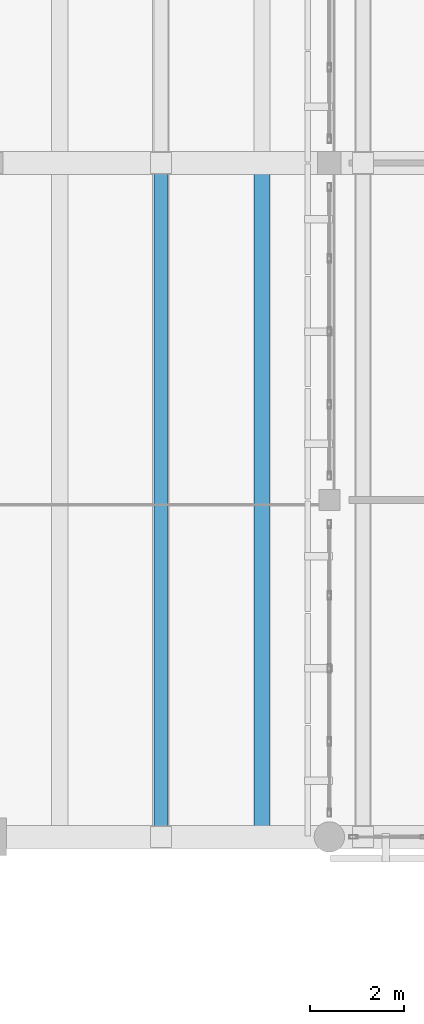
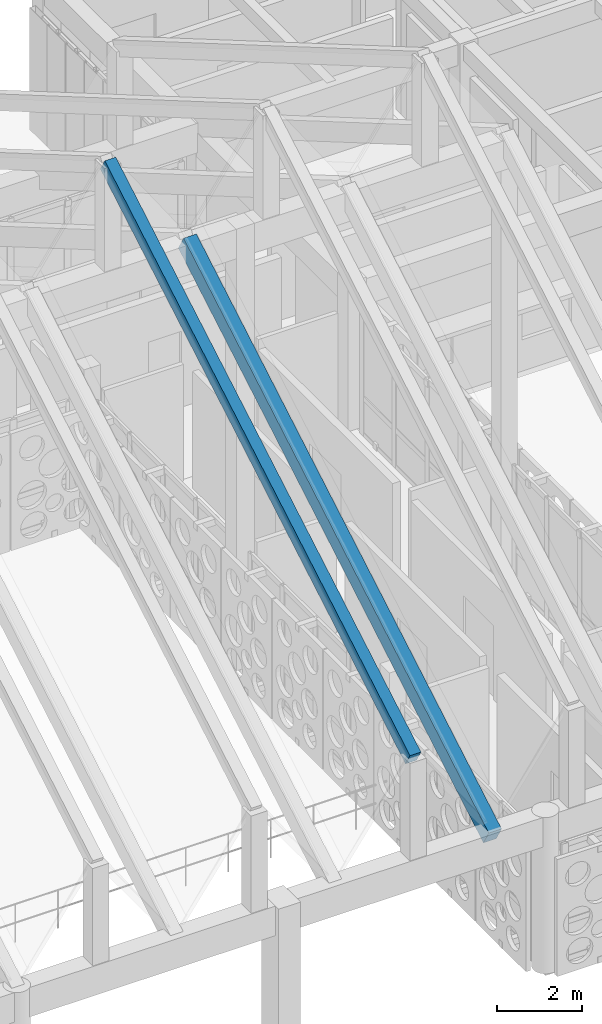
# One storey, part 36 of 171: 2 beams.
"""IFC4 building model written with IfcOpenShell, lengths in metres."""

from ifc_helpers import new_model, si_unit, direction, frame, origin, origin_2d, place, context, subcontext, project, spatial, rectangle, extrude, material, material_profile, profile_set, type_object, element, save


model = new_model("IFC4")

# Units and contexts
model_context = context("Model", 3, precision=1e-05, world=origin(), true_north=direction((0.0, 1.0)))
body_context = subcontext(model_context, "Body", "Model", "MODEL_VIEW")
ifc_project = project(units=[si_unit("LENGTHUNIT", "METRE"), si_unit("AREAUNIT", "SQUARE_METRE"), si_unit("VOLUMEUNIT", "CUBIC_METRE"), si_unit("PLANEANGLEUNIT", "RADIAN"), si_unit("MASSUNIT", "GRAM", prefix="KILO")], contexts=[model_context])

# Site, building, storey
site_placement = place(None, origin())
site = spatial("IfcSite", under=ifc_project, at=site_placement, CompositionType="ELEMENT")
building_placement = place(site_placement, origin())
building = spatial("IfcBuilding", under=site, at=building_placement, Name="Aldebral Square Health Centre", CompositionType="ELEMENT")
storey_placement = place(building_placement, frame((0.0, 0.0, 4.5)))
storey = spatial("IfcBuildingStorey", under=building, at=storey_placement, Name="L01", CompositionType="ELEMENT", Elevation=4.5)

# Beams
ifc_material = material(Name="Concrete C40/50", Category="concrete")
ifc_material_profile_1 = material_profile(ifc_material, rectangle(XDim=0.300048828125, YDim=0.419921875, at=origin_2d()), Name="RC 300x420")
ifc_profile_set_1 = profile_set([ifc_material_profile_1], Name="Concrete C40/50")
beam_type_1 = type_object("IfcBeamType", Name="BM-FP2", PredefinedType="BEAM", material=ifc_profile_set_1)
beam_1_placement = place(storey_placement, frame((97.199951171875, 72.0, 7.25), z_axis=(0.0, 0.863779963214, 0.503869204407), x_axis=(-1.0, 0.0, 0.0)))
element("IfcBeam", 1, at=beam_1_placement, inside=storey, type_object=beam_type_1, Name="Folded-plate south ridge rib 8", PredefinedType="BEAM", context=body_context, shape_type="SweptSolid", body=[
    extrude(rectangle(XDim=0.300048828125, YDim=0.419921875, at=origin_2d()), origin(), (0.0, 0.0, 1.0), 16.6708984375),
])
ifc_material_profile_2 = material_profile(ifc_material, rectangle(XDim=0.35009765625, YDim=0.5, at=origin_2d()), Name="RC 350x500")
ifc_profile_set_2 = profile_set([ifc_material_profile_2], Name="Concrete C40/50")
beam_type_2 = type_object("IfcBeamType", Name="BM-SP1", PredefinedType="SPANDREL", material=ifc_profile_set_2)
beam_2_placement = place(storey_placement, frame((99.360107421875, 72.0, 4.25), z_axis=(0.0, 0.863779963214, 0.503869204407), x_axis=(-1.0, 0.0, 0.0)))
element("IfcBeam", 2, at=beam_2_placement, inside=storey, type_object=beam_type_2, Name="Folded-plate south valley beam 9", PredefinedType="SPANDREL", context=body_context, shape_type="SweptSolid", body=[
    extrude(rectangle(XDim=0.35009765625, YDim=0.5, at=origin_2d()), origin(), (0.0, 0.0, 1.0), 16.6708984375),
])

save(model, "model.ifc")
